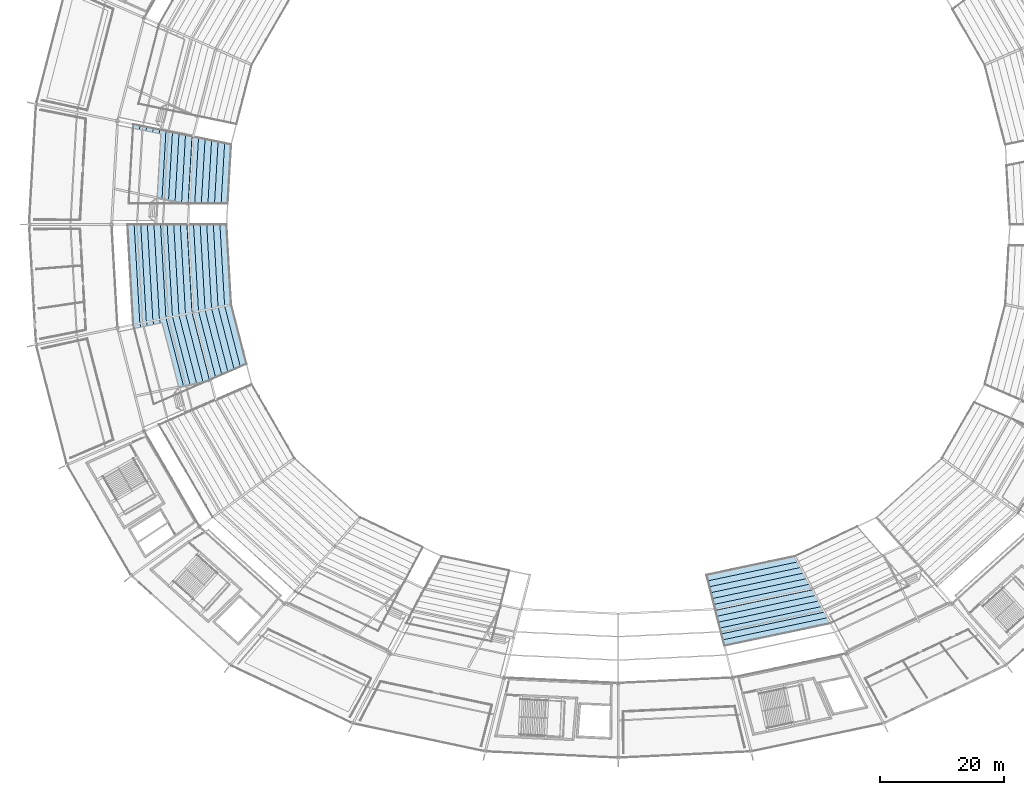
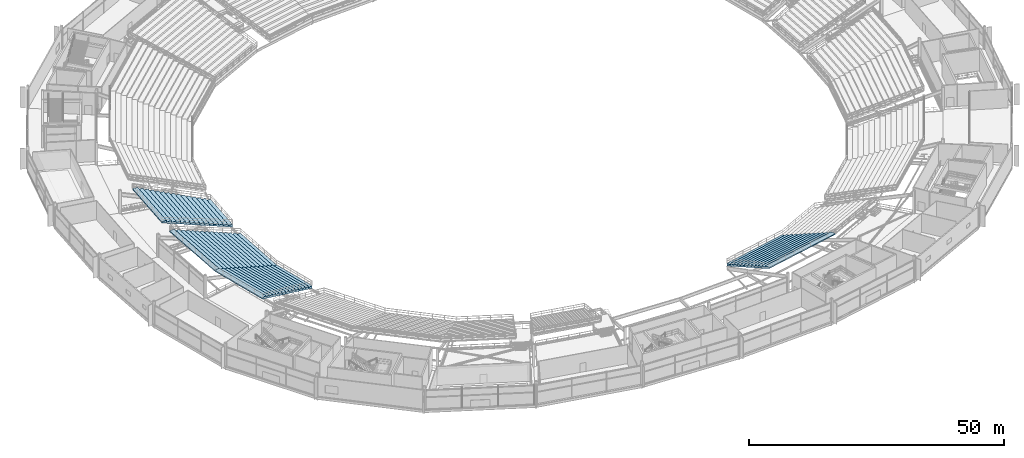
# One storey, part 134 of 186: 4 slabs.
"""IFC4 building model written with IfcOpenShell, lengths in metres."""

from ifc_helpers import new_model, si_unit, direction, frame, origin, place, context, subcontext, project, spatial, polygons, material, layer, layer_set, type_object, element, save


model = new_model("IFC4")

# Units and contexts
model_context = context("Model", 3, precision=1e-05, world=origin(), true_north=direction((0.0, 1.0)))
body_context = subcontext(model_context, "Body", "Model", "MODEL_VIEW")
ifc_project = project(units=[si_unit("LENGTHUNIT", "METRE"), si_unit("AREAUNIT", "SQUARE_METRE"), si_unit("VOLUMEUNIT", "CUBIC_METRE"), si_unit("PLANEANGLEUNIT", "RADIAN"), si_unit("MASSUNIT", "GRAM", prefix="KILO")], contexts=[model_context])

# Site, building, storey
site_placement = place(None, origin())
site = spatial("IfcSite", under=ifc_project, at=site_placement, CompositionType="ELEMENT")
building_placement = place(site_placement, origin())
building = spatial("IfcBuilding", under=site, at=building_placement, Name="Kazemori Nagisa Stadium", CompositionType="ELEMENT")
storey_placement = place(building_placement, frame((0.0, 0.0, 20.39990234375)))
storey = spatial("IfcBuildingStorey", under=building, at=storey_placement, Name="L04", CompositionType="ELEMENT", Elevation=20.39990234375)

# Slabs
ifc_material = material(Name="Concrete C36/45 (Fc36)", Category="concrete")
ifc_layer_1 = layer(ifc_material, 5.5400390625, Name="Concrete C36/45 (Fc36)", Category="concrete")
ifc_layer_set_1 = layer_set([ifc_layer_1], Name="Concrete C36/45 (Fc36)")
slab_type_1 = type_object("IfcSlabType", Name="SeatingTier_ST-UP-12S", PredefinedType="USERDEFINED", material=ifc_layer_set_1)
slab_1_placement = place(storey_placement, frame((0.0, 0.0, -20.39990234375)))
element("IfcSlab", 1, at=slab_1_placement, inside=storey, type_object=slab_type_1, Name="Stand upper tier bay 23", ObjectType="SEATING TIER", PredefinedType="USERDEFINED", context=body_context, shape_type="Tessellation", body=[
    polygons([(151.465087890625, 48.4912109375, 18.820068359375), (151.465087890625, 48.4912109375, 19.52001953125), (151.944580078125, 47.590087890625, 19.52001953125), (151.944580078125, 47.590087890625, 19.9599609375), (152.423828125, 46.688720703125, 19.9599609375), (152.423828125, 46.688720703125, 20.39990234375), (152.9033203125, 45.78759765625, 20.39990234375), (152.9033203125, 45.78759765625, 20.83984375), (153.3828125, 44.886474609375, 20.83984375), (153.3828125, 44.886474609375, 21.27978515625), (153.862060546875, 43.985107421875, 21.27978515625), (153.862060546875, 43.985107421875, 21.7197265625), (154.341552734375, 43.083984375, 21.7197265625), (154.341552734375, 43.083984375, 22.15966796875), (154.821044921875, 42.182861328125, 22.15966796875), (154.821044921875, 42.182861328125, 22.599609375), (155.30029296875, 41.281494140625, 22.599609375), (155.30029296875, 41.281494140625, 23.03955078125), (155.77978515625, 40.38037109375, 23.03955078125), (155.77978515625, 40.38037109375, 23.4794921875), (156.25927734375, 39.479248046875, 23.4794921875), (156.25927734375, 39.479248046875, 23.91943359375), (156.738525390625, 38.577880859375, 23.91943359375), (156.738525390625, 38.577880859375, 24.359375), (157.218017578125, 37.6767578125, 24.359375), (157.218017578125, 37.6767578125, 24.099365234375), (156.738525390625, 38.577880859375, 23.659423828125), (156.25927734375, 39.479248046875, 23.219482421875), (155.77978515625, 40.38037109375, 22.779541015625), (155.30029296875, 41.281494140625, 22.339599609375), (154.821044921875, 42.182861328125, 21.899658203125), (154.341552734375, 43.083984375, 21.459716796875), (153.862060546875, 43.985107421875, 21.019775390625), (153.3828125, 44.886474609375, 20.579833984375), (152.9033203125, 45.78759765625, 20.139892578125), (152.423828125, 46.688720703125, 19.699951171875), (151.944580078125, 47.590087890625, 19.260009765625), (137.24951171875, 45.483642578125, 18.820068359375), (137.24951171875, 45.483642578125, 19.52001953125), (137.489501953125, 44.53173828125, 19.52001953125), (137.489501953125, 44.53173828125, 19.9599609375), (137.7294921875, 43.580078125, 19.9599609375), (137.7294921875, 43.580078125, 20.39990234375), (137.969482421875, 42.628173828125, 20.39990234375), (137.969482421875, 42.628173828125, 20.83984375), (138.20947265625, 41.67626953125, 20.83984375), (138.20947265625, 41.67626953125, 21.27978515625), (138.449462890625, 40.724365234375, 21.27978515625), (138.449462890625, 40.724365234375, 21.7197265625), (138.689453125, 39.7724609375, 21.7197265625), (138.689453125, 39.7724609375, 22.15966796875), (138.929443359375, 38.82080078125, 22.15966796875), (138.929443359375, 38.82080078125, 22.599609375), (139.16943359375, 37.868896484375, 22.599609375), (139.16943359375, 37.868896484375, 23.03955078125), (139.409423828125, 36.9169921875, 23.03955078125), (139.409423828125, 36.9169921875, 23.4794921875), (139.6494140625, 35.96533203125, 23.4794921875), (139.6494140625, 35.96533203125, 23.91943359375), (139.889404296875, 35.013427734375, 23.91943359375), (139.889404296875, 35.013427734375, 24.359375), (140.12939453125, 34.0615234375, 24.359375), (140.12939453125, 34.0615234375, 24.099365234375), (139.889404296875, 35.013427734375, 23.659423828125), (139.6494140625, 35.96533203125, 23.219482421875), (139.409423828125, 36.9169921875, 22.779541015625), (139.16943359375, 37.868896484375, 22.339599609375), (138.929443359375, 38.82080078125, 21.899658203125), (138.689453125, 39.7724609375, 21.459716796875), (138.449462890625, 40.724365234375, 21.019775390625), (138.20947265625, 41.67626953125, 20.579833984375), (137.969482421875, 42.628173828125, 20.139892578125), (137.7294921875, 43.580078125, 19.699951171875), (137.489501953125, 44.53173828125, 19.260009765625)], [[[1, 38, 39]], [[1, 39, 2]], [[2, 39, 40]], [[2, 40, 3]], [[3, 40, 41]], [[3, 41, 4]], [[4, 41, 42]], [[4, 42, 5]], [[5, 42, 43]], [[5, 43, 6]], [[6, 43, 44]], [[6, 44, 7]], [[7, 44, 45]], [[7, 45, 8]], [[8, 45, 46]], [[8, 46, 9]], [[9, 46, 47]], [[9, 47, 10]], [[10, 47, 48]], [[10, 48, 11]], [[11, 48, 49]], [[11, 49, 12]], [[12, 49, 50]], [[12, 50, 13]], [[13, 50, 51]], [[13, 51, 14]], [[14, 51, 52]], [[14, 52, 15]], [[15, 52, 53]], [[15, 53, 16]], [[16, 53, 54]], [[16, 54, 17]], [[17, 54, 55]], [[17, 55, 18]], [[18, 55, 56]], [[18, 56, 19]], [[19, 56, 57]], [[19, 57, 20]], [[20, 57, 58]], [[20, 58, 21]], [[21, 58, 59]], [[21, 59, 22]], [[22, 59, 60]], [[22, 60, 23]], [[23, 60, 61]], [[23, 61, 24]], [[24, 61, 62]], [[24, 62, 25]], [[25, 62, 63]], [[25, 63, 26]], [[26, 63, 27]], [[27, 63, 64]], [[27, 64, 28]], [[28, 64, 65]], [[28, 65, 29]], [[29, 65, 66]], [[29, 66, 30]], [[30, 66, 67]], [[30, 67, 31]], [[31, 67, 68]], [[31, 68, 32]], [[32, 68, 69]], [[32, 69, 33]], [[33, 69, 70]], [[33, 70, 34]], [[34, 70, 71]], [[34, 71, 35]], [[35, 71, 72]], [[35, 72, 36]], [[36, 72, 73]], [[36, 73, 37]], [[37, 73, 74]], [[37, 74, 1]], [[1, 74, 38]], [[1, 2, 3]], [[40, 39, 38]], [[1, 3, 37]], [[74, 40, 38]], [[37, 3, 36]], [[73, 40, 74]], [[36, 3, 5]], [[42, 40, 73]], [[3, 4, 5]], [[42, 41, 40]], [[36, 5, 35]], [[72, 42, 73]], [[35, 5, 7]], [[44, 42, 72]], [[5, 6, 7]], [[44, 43, 42]], [[35, 7, 34]], [[71, 44, 72]], [[34, 7, 9]], [[46, 44, 71]], [[7, 8, 9]], [[46, 45, 44]], [[34, 9, 33]], [[70, 46, 71]], [[33, 9, 11]], [[48, 46, 70]], [[9, 10, 11]], [[48, 47, 46]], [[33, 11, 32]], [[69, 48, 70]], [[32, 11, 13]], [[50, 48, 69]], [[11, 12, 13]], [[50, 49, 48]], [[32, 13, 31]], [[68, 50, 69]], [[31, 13, 15]], [[52, 50, 68]], [[13, 14, 15]], [[52, 51, 50]], [[31, 15, 30]], [[67, 52, 68]], [[30, 15, 17]], [[54, 52, 67]], [[15, 16, 17]], [[54, 53, 52]], [[30, 17, 29]], [[66, 54, 67]], [[29, 17, 19]], [[56, 54, 66]], [[17, 18, 19]], [[56, 55, 54]], [[29, 19, 28]], [[65, 56, 66]], [[28, 19, 21]], [[58, 56, 65]], [[19, 20, 21]], [[58, 57, 56]], [[28, 21, 27]], [[64, 58, 65]], [[27, 21, 23]], [[60, 58, 64]], [[21, 22, 23]], [[60, 59, 58]], [[27, 23, 26]], [[63, 60, 64]], [[26, 23, 25]], [[62, 60, 63]], [[23, 24, 25]], [[62, 61, 60]]], closed=True),
])
ifc_layer_2 = layer(ifc_material, 6.860107421875, Name="Concrete C36/45 (Fc36)", Category="concrete")
ifc_layer_set_2 = layer_set([ifc_layer_2], Name="Concrete C36/45 (Fc36)")
slab_type_2 = type_object("IfcSlabType", Name="SeatingTier_ST-UP-15W", PredefinedType="USERDEFINED", material=ifc_layer_set_2)
slab_2_placement = place(storey_placement, frame((0.0, 0.0, -20.39990234375)))
element("IfcSlab", 2, at=slab_2_placement, inside=storey, type_object=slab_type_2, Name="Stand upper tier bay 14", ObjectType="SEATING TIER", PredefinedType="USERDEFINED", context=body_context, shape_type="Tessellation", body=[
    polygons([(60.020751953125, 105.394287109375, 18.820068359375), (60.020751953125, 105.394287109375, 19.52001953125), (58.956787109375, 105.394287109375, 19.52001953125), (58.956787109375, 105.394287109375, 19.9599609375), (57.892822265625, 105.394287109375, 19.9599609375), (57.892822265625, 105.394287109375, 20.39990234375), (56.828857421875, 105.394287109375, 20.39990234375), (56.828857421875, 105.394287109375, 20.83984375), (55.7646484375, 105.394287109375, 20.83984375), (55.7646484375, 105.394287109375, 21.27978515625), (54.70068359375, 105.394287109375, 21.27978515625), (54.70068359375, 105.394287109375, 21.7197265625), (53.63671875, 105.394287109375, 21.7197265625), (53.63671875, 105.394287109375, 22.15966796875), (52.57275390625, 105.394287109375, 22.15966796875), (52.57275390625, 105.394287109375, 22.599609375), (51.5087890625, 105.394287109375, 22.599609375), (51.5087890625, 105.394287109375, 23.03955078125), (50.44482421875, 105.394287109375, 23.03955078125), (50.44482421875, 105.394287109375, 23.4794921875), (49.380859375, 105.394287109375, 23.4794921875), (49.380859375, 105.394287109375, 23.91943359375), (48.31689453125, 105.394287109375, 23.91943359375), (48.31689453125, 105.394287109375, 24.359375), (47.252685546875, 105.394287109375, 24.359375), (47.252685546875, 105.394287109375, 24.79931640625), (46.188720703125, 105.394287109375, 24.79931640625), (46.188720703125, 105.394287109375, 25.2392578125), (45.124755859375, 105.394287109375, 25.2392578125), (45.124755859375, 105.394287109375, 25.67919921875), (44.060791015625, 105.394287109375, 25.67919921875), (44.060791015625, 105.394287109375, 25.419189453125), (45.124755859375, 105.394287109375, 24.979248046875), (46.188720703125, 105.394287109375, 24.539306640625), (47.252685546875, 105.394287109375, 24.099365234375), (48.31689453125, 105.394287109375, 23.659423828125), (49.380859375, 105.394287109375, 23.219482421875), (50.44482421875, 105.394287109375, 22.779541015625), (51.5087890625, 105.394287109375, 22.339599609375), (52.57275390625, 105.394287109375, 21.899658203125), (53.63671875, 105.394287109375, 21.459716796875), (54.70068359375, 105.394287109375, 21.019775390625), (55.7646484375, 105.394287109375, 20.579833984375), (56.828857421875, 105.394287109375, 20.139892578125), (57.892822265625, 105.394287109375, 19.699951171875), (58.956787109375, 105.394287109375, 19.260009765625), (60.5693359375, 114.8994140625, 18.820068359375), (60.5693359375, 114.8994140625, 19.52001953125), (59.517822265625, 115.11669921875, 19.52001953125), (59.517822265625, 115.11669921875, 19.9599609375), (58.46630859375, 115.333984375, 19.9599609375), (58.46630859375, 115.333984375, 20.39990234375), (57.4150390625, 115.55126953125, 20.39990234375), (57.4150390625, 115.55126953125, 20.83984375), (56.363525390625, 115.768310546875, 20.83984375), (56.363525390625, 115.768310546875, 21.27978515625), (55.31201171875, 115.985595703125, 21.27978515625), (55.31201171875, 115.985595703125, 21.7197265625), (54.260498046875, 116.202880859375, 21.7197265625), (54.260498046875, 116.202880859375, 22.15966796875), (53.208984375, 116.420166015625, 22.15966796875), (53.208984375, 116.420166015625, 22.599609375), (52.15771484375, 116.637451171875, 22.599609375), (52.15771484375, 116.637451171875, 23.03955078125), (51.106201171875, 116.854736328125, 23.03955078125), (51.106201171875, 116.854736328125, 23.4794921875), (50.0546875, 117.072021484375, 23.4794921875), (50.0546875, 117.072021484375, 23.91943359375), (49.003173828125, 117.289306640625, 23.91943359375), (49.003173828125, 117.289306640625, 24.359375), (47.95166015625, 117.50634765625, 24.359375), (47.95166015625, 117.50634765625, 24.79931640625), (46.900390625, 117.7236328125, 24.79931640625), (46.900390625, 117.7236328125, 25.2392578125), (45.848876953125, 117.94091796875, 25.2392578125), (45.848876953125, 117.94091796875, 25.67919921875), (44.79736328125, 118.158203125, 25.67919921875), (44.79736328125, 118.158203125, 25.419189453125), (45.848876953125, 117.94091796875, 24.979248046875), (46.900390625, 117.7236328125, 24.539306640625), (47.95166015625, 117.50634765625, 24.099365234375), (49.003173828125, 117.289306640625, 23.659423828125), (50.0546875, 117.072021484375, 23.219482421875), (51.106201171875, 116.854736328125, 22.779541015625), (52.15771484375, 116.637451171875, 22.339599609375), (53.208984375, 116.420166015625, 21.899658203125), (54.260498046875, 116.202880859375, 21.459716796875), (55.31201171875, 115.985595703125, 21.019775390625), (56.363525390625, 115.768310546875, 20.579833984375), (57.4150390625, 115.55126953125, 20.139892578125), (58.46630859375, 115.333984375, 19.699951171875), (59.517822265625, 115.11669921875, 19.260009765625)], [[[1, 47, 48]], [[1, 48, 2]], [[2, 48, 49]], [[2, 49, 3]], [[3, 49, 50]], [[3, 50, 4]], [[4, 50, 51]], [[4, 51, 5]], [[5, 51, 52]], [[5, 52, 6]], [[6, 52, 53]], [[6, 53, 7]], [[7, 53, 54]], [[7, 54, 8]], [[8, 54, 55]], [[8, 55, 9]], [[9, 55, 56]], [[9, 56, 10]], [[10, 56, 57]], [[10, 57, 11]], [[11, 57, 58]], [[11, 58, 12]], [[12, 58, 59]], [[12, 59, 13]], [[13, 59, 60]], [[13, 60, 14]], [[14, 60, 61]], [[14, 61, 15]], [[15, 61, 62]], [[15, 62, 16]], [[16, 62, 63]], [[16, 63, 17]], [[17, 63, 64]], [[17, 64, 18]], [[18, 64, 65]], [[18, 65, 19]], [[19, 65, 66]], [[19, 66, 20]], [[20, 66, 67]], [[20, 67, 21]], [[21, 67, 68]], [[21, 68, 22]], [[22, 68, 69]], [[22, 69, 23]], [[23, 69, 70]], [[23, 70, 24]], [[24, 70, 71]], [[24, 71, 25]], [[25, 71, 72]], [[25, 72, 26]], [[26, 72, 73]], [[26, 73, 27]], [[27, 73, 74]], [[27, 74, 28]], [[28, 74, 75]], [[28, 75, 29]], [[29, 75, 76]], [[29, 76, 30]], [[30, 76, 77]], [[30, 77, 31]], [[31, 77, 78]], [[31, 78, 32]], [[32, 78, 33]], [[33, 78, 79]], [[33, 79, 34]], [[34, 79, 80]], [[34, 80, 35]], [[35, 80, 81]], [[35, 81, 36]], [[36, 81, 82]], [[36, 82, 37]], [[37, 82, 83]], [[37, 83, 38]], [[38, 83, 84]], [[38, 84, 39]], [[39, 84, 85]], [[39, 85, 40]], [[40, 85, 86]], [[40, 86, 41]], [[41, 86, 87]], [[41, 87, 42]], [[42, 87, 88]], [[42, 88, 43]], [[43, 88, 89]], [[43, 89, 44]], [[44, 89, 90]], [[44, 90, 45]], [[45, 90, 91]], [[45, 91, 46]], [[46, 91, 92]], [[46, 92, 1]], [[1, 92, 47]], [[1, 2, 3]], [[49, 48, 47]], [[1, 3, 46]], [[92, 49, 47]], [[46, 3, 45]], [[91, 49, 92]], [[45, 3, 5]], [[51, 49, 91]], [[3, 4, 5]], [[51, 50, 49]], [[45, 5, 44]], [[90, 51, 91]], [[44, 5, 7]], [[53, 51, 90]], [[5, 6, 7]], [[53, 52, 51]], [[44, 7, 43]], [[89, 53, 90]], [[43, 7, 9]], [[55, 53, 89]], [[7, 8, 9]], [[55, 54, 53]], [[43, 9, 42]], [[88, 55, 89]], [[42, 9, 11]], [[57, 55, 88]], [[9, 10, 11]], [[57, 56, 55]], [[42, 11, 41]], [[87, 57, 88]], [[41, 11, 13]], [[59, 57, 87]], [[11, 12, 13]], [[59, 58, 57]], [[41, 13, 40]], [[86, 59, 87]], [[40, 13, 15]], [[61, 59, 86]], [[13, 14, 15]], [[61, 60, 59]], [[40, 15, 39]], [[85, 61, 86]], [[39, 15, 17]], [[63, 61, 85]], [[15, 16, 17]], [[63, 62, 61]], [[39, 17, 38]], [[84, 63, 85]], [[38, 17, 19]], [[65, 63, 84]], [[17, 18, 19]], [[65, 64, 63]], [[38, 19, 37]], [[83, 65, 84]], [[37, 19, 21]], [[67, 65, 83]], [[19, 20, 21]], [[67, 66, 65]], [[37, 21, 36]], [[82, 67, 83]], [[36, 21, 23]], [[69, 67, 82]], [[21, 22, 23]], [[69, 68, 67]], [[36, 23, 35]], [[81, 69, 82]], [[35, 23, 25]], [[71, 69, 81]], [[23, 24, 25]], [[71, 70, 69]], [[35, 25, 34]], [[80, 71, 81]], [[34, 25, 27]], [[73, 71, 80]], [[25, 26, 27]], [[73, 72, 71]], [[34, 27, 33]], [[79, 73, 80]], [[33, 27, 29]], [[75, 73, 79]], [[27, 28, 29]], [[75, 74, 73]], [[33, 29, 32]], [[78, 75, 79]], [[32, 29, 31]], [[77, 75, 78]], [[29, 30, 31]], [[77, 76, 75]]], closed=True),
])
slab_3_placement = place(storey_placement, frame((0.0, 0.0, -20.39990234375)))
element("IfcSlab", 3, at=slab_3_placement, inside=storey, type_object=slab_type_2, Name="Stand upper tier bay 15", ObjectType="SEATING TIER", PredefinedType="USERDEFINED", context=body_context, shape_type="Tessellation", body=[
    polygons([(60.5693359375, 89.1005859375, 18.820068359375), (60.5693359375, 89.1005859375, 19.52001953125), (59.517822265625, 88.88330078125, 19.52001953125), (59.517822265625, 88.88330078125, 19.9599609375), (58.46630859375, 88.666015625, 19.9599609375), (58.46630859375, 88.666015625, 20.39990234375), (57.4150390625, 88.44873046875, 20.39990234375), (57.4150390625, 88.44873046875, 20.83984375), (56.363525390625, 88.231689453125, 20.83984375), (56.363525390625, 88.231689453125, 21.27978515625), (55.31201171875, 88.014404296875, 21.27978515625), (55.31201171875, 88.014404296875, 21.7197265625), (54.260498046875, 87.797119140625, 21.7197265625), (54.260498046875, 87.797119140625, 22.15966796875), (53.208984375, 87.579833984375, 22.15966796875), (53.208984375, 87.579833984375, 22.599609375), (52.15771484375, 87.362548828125, 22.599609375), (52.15771484375, 87.362548828125, 23.03955078125), (51.106201171875, 87.145263671875, 23.03955078125), (51.106201171875, 87.145263671875, 23.4794921875), (50.0546875, 86.927978515625, 23.4794921875), (50.0546875, 86.927978515625, 23.91943359375), (49.003173828125, 86.710693359375, 23.91943359375), (49.003173828125, 86.710693359375, 24.359375), (47.95166015625, 86.49365234375, 24.359375), (47.95166015625, 86.49365234375, 24.79931640625), (46.900390625, 86.2763671875, 24.79931640625), (46.900390625, 86.2763671875, 25.2392578125), (45.848876953125, 86.05908203125, 25.2392578125), (45.848876953125, 86.05908203125, 25.67919921875), (44.79736328125, 85.841796875, 25.67919921875), (44.79736328125, 85.841796875, 25.419189453125), (45.848876953125, 86.05908203125, 24.979248046875), (46.900390625, 86.2763671875, 24.539306640625), (47.95166015625, 86.49365234375, 24.099365234375), (49.003173828125, 86.710693359375, 23.659423828125), (50.0546875, 86.927978515625, 23.219482421875), (51.106201171875, 87.145263671875, 22.779541015625), (52.15771484375, 87.362548828125, 22.339599609375), (53.208984375, 87.579833984375, 21.899658203125), (54.260498046875, 87.797119140625, 21.459716796875), (55.31201171875, 88.014404296875, 21.019775390625), (56.363525390625, 88.231689453125, 20.579833984375), (57.4150390625, 88.44873046875, 20.139892578125), (58.46630859375, 88.666015625, 19.699951171875), (59.517822265625, 88.88330078125, 19.260009765625), (59.824951171875, 102.0, 18.820068359375), (59.824951171875, 102.0, 19.52001953125), (58.760986328125, 102.0, 19.52001953125), (58.760986328125, 102.0, 19.9599609375), (57.697021484375, 102.0, 19.9599609375), (57.697021484375, 102.0, 20.39990234375), (56.633056640625, 102.0, 20.39990234375), (56.633056640625, 102.0, 20.83984375), (55.56884765625, 102.0, 20.83984375), (55.56884765625, 102.0, 21.27978515625), (54.5048828125, 102.0, 21.27978515625), (54.5048828125, 102.0, 21.7197265625), (53.44091796875, 102.0, 21.7197265625), (53.44091796875, 102.0, 22.15966796875), (52.376953125, 102.0, 22.15966796875), (52.376953125, 102.0, 22.599609375), (51.31298828125, 102.0, 22.599609375), (51.31298828125, 102.0, 23.03955078125), (50.2490234375, 102.0, 23.03955078125), (50.2490234375, 102.0, 23.4794921875), (49.18505859375, 102.0, 23.4794921875), (49.18505859375, 102.0, 23.91943359375), (48.12109375, 102.0, 23.91943359375), (48.12109375, 102.0, 24.359375), (47.056884765625, 102.0, 24.359375), (47.056884765625, 102.0, 24.79931640625), (45.992919921875, 102.0, 24.79931640625), (45.992919921875, 102.0, 25.2392578125), (44.928955078125, 102.0, 25.2392578125), (44.928955078125, 102.0, 25.67919921875), (43.864990234375, 102.0, 25.67919921875), (43.864990234375, 102.0, 25.419189453125), (44.928955078125, 102.0, 24.979248046875), (45.992919921875, 102.0, 24.539306640625), (47.056884765625, 102.0, 24.099365234375), (48.12109375, 102.0, 23.659423828125), (49.18505859375, 102.0, 23.219482421875), (50.2490234375, 102.0, 22.779541015625), (51.31298828125, 102.0, 22.339599609375), (52.376953125, 102.0, 21.899658203125), (53.44091796875, 102.0, 21.459716796875), (54.5048828125, 102.0, 21.019775390625), (55.56884765625, 102.0, 20.579833984375), (56.633056640625, 102.0, 20.139892578125), (57.697021484375, 102.0, 19.699951171875), (58.760986328125, 102.0, 19.260009765625)], [[[1, 47, 48]], [[1, 48, 2]], [[2, 48, 49]], [[2, 49, 3]], [[3, 49, 50]], [[3, 50, 4]], [[4, 50, 51]], [[4, 51, 5]], [[5, 51, 52]], [[5, 52, 6]], [[6, 52, 53]], [[6, 53, 7]], [[7, 53, 54]], [[7, 54, 8]], [[8, 54, 55]], [[8, 55, 9]], [[9, 55, 56]], [[9, 56, 10]], [[10, 56, 57]], [[10, 57, 11]], [[11, 57, 58]], [[11, 58, 12]], [[12, 58, 59]], [[12, 59, 13]], [[13, 59, 60]], [[13, 60, 14]], [[14, 60, 61]], [[14, 61, 15]], [[15, 61, 62]], [[15, 62, 16]], [[16, 62, 63]], [[16, 63, 17]], [[17, 63, 64]], [[17, 64, 18]], [[18, 64, 65]], [[18, 65, 19]], [[19, 65, 66]], [[19, 66, 20]], [[20, 66, 67]], [[20, 67, 21]], [[21, 67, 68]], [[21, 68, 22]], [[22, 68, 69]], [[22, 69, 23]], [[23, 69, 70]], [[23, 70, 24]], [[24, 70, 71]], [[24, 71, 25]], [[25, 71, 72]], [[25, 72, 26]], [[26, 72, 73]], [[26, 73, 27]], [[27, 73, 74]], [[27, 74, 28]], [[28, 74, 75]], [[28, 75, 29]], [[29, 75, 76]], [[29, 76, 30]], [[30, 76, 77]], [[30, 77, 31]], [[31, 77, 78]], [[31, 78, 32]], [[32, 78, 33]], [[33, 78, 79]], [[33, 79, 34]], [[34, 79, 80]], [[34, 80, 35]], [[35, 80, 81]], [[35, 81, 36]], [[36, 81, 82]], [[36, 82, 37]], [[37, 82, 83]], [[37, 83, 38]], [[38, 83, 84]], [[38, 84, 39]], [[39, 84, 85]], [[39, 85, 40]], [[40, 85, 86]], [[40, 86, 41]], [[41, 86, 87]], [[41, 87, 42]], [[42, 87, 88]], [[42, 88, 43]], [[43, 88, 89]], [[43, 89, 44]], [[44, 89, 90]], [[44, 90, 45]], [[45, 90, 91]], [[45, 91, 46]], [[46, 91, 92]], [[46, 92, 1]], [[1, 92, 47]], [[1, 2, 3]], [[49, 48, 47]], [[1, 3, 46]], [[92, 49, 47]], [[46, 3, 45]], [[91, 49, 92]], [[45, 3, 5]], [[51, 49, 91]], [[3, 4, 5]], [[51, 50, 49]], [[45, 5, 44]], [[90, 51, 91]], [[44, 5, 7]], [[53, 51, 90]], [[5, 6, 7]], [[53, 52, 51]], [[44, 7, 43]], [[89, 53, 90]], [[43, 7, 9]], [[55, 53, 89]], [[7, 8, 9]], [[55, 54, 53]], [[43, 9, 42]], [[88, 55, 89]], [[42, 9, 11]], [[57, 55, 88]], [[9, 10, 11]], [[57, 56, 55]], [[42, 11, 41]], [[87, 57, 88]], [[41, 11, 13]], [[59, 57, 87]], [[11, 12, 13]], [[59, 58, 57]], [[41, 13, 40]], [[86, 59, 87]], [[40, 13, 15]], [[61, 59, 86]], [[13, 14, 15]], [[61, 60, 59]], [[40, 15, 39]], [[85, 61, 86]], [[39, 15, 17]], [[63, 61, 85]], [[15, 16, 17]], [[63, 62, 61]], [[39, 17, 38]], [[84, 63, 85]], [[38, 17, 19]], [[65, 63, 84]], [[17, 18, 19]], [[65, 64, 63]], [[38, 19, 37]], [[83, 65, 84]], [[37, 19, 21]], [[67, 65, 83]], [[19, 20, 21]], [[67, 66, 65]], [[37, 21, 36]], [[82, 67, 83]], [[36, 21, 23]], [[69, 67, 82]], [[21, 22, 23]], [[69, 68, 67]], [[36, 23, 35]], [[81, 69, 82]], [[35, 23, 25]], [[71, 69, 81]], [[23, 24, 25]], [[71, 70, 69]], [[35, 25, 34]], [[80, 71, 81]], [[34, 25, 27]], [[73, 71, 80]], [[25, 26, 27]], [[73, 72, 71]], [[34, 27, 33]], [[79, 73, 80]], [[33, 27, 29]], [[75, 73, 79]], [[27, 28, 29]], [[75, 74, 73]], [[33, 29, 32]], [[78, 75, 79]], [[32, 29, 31]], [[77, 75, 78]], [[29, 30, 31]], [[77, 76, 75]]], closed=True),
])
slab_4_placement = place(storey_placement, frame((0.0, 0.0, -20.39990234375)))
element("IfcSlab", 4, at=slab_4_placement, inside=storey, type_object=slab_type_2, Name="Stand upper tier bay 16", ObjectType="SEATING TIER", PredefinedType="USERDEFINED", context=body_context, shape_type="Tessellation", body=[
    polygons([(63.041748046875, 79.523681640625, 18.820068359375), (63.041748046875, 79.523681640625, 19.52001953125), (62.046142578125, 79.089599609375, 19.52001953125), (62.046142578125, 79.089599609375, 19.9599609375), (61.05078125, 78.65576171875, 19.9599609375), (61.05078125, 78.65576171875, 20.39990234375), (60.05517578125, 78.2216796875, 20.39990234375), (60.05517578125, 78.2216796875, 20.83984375), (59.0595703125, 77.78759765625, 20.83984375), (59.0595703125, 77.78759765625, 21.27978515625), (58.064208984375, 77.353759765625, 21.27978515625), (58.064208984375, 77.353759765625, 21.7197265625), (57.068603515625, 76.919677734375, 21.7197265625), (57.068603515625, 76.919677734375, 22.15966796875), (56.072998046875, 76.485595703125, 22.15966796875), (56.072998046875, 76.485595703125, 22.599609375), (55.07763671875, 76.0517578125, 22.599609375), (55.07763671875, 76.0517578125, 23.03955078125), (54.08203125, 75.61767578125, 23.03955078125), (54.08203125, 75.61767578125, 23.4794921875), (53.08642578125, 75.18359375, 23.4794921875), (53.08642578125, 75.18359375, 23.91943359375), (52.091064453125, 74.749755859375, 23.91943359375), (52.091064453125, 74.749755859375, 24.359375), (51.095458984375, 74.315673828125, 24.359375), (51.095458984375, 74.315673828125, 24.79931640625), (50.099853515625, 73.881591796875, 24.79931640625), (50.099853515625, 73.881591796875, 25.2392578125), (49.1044921875, 73.44775390625, 25.2392578125), (49.1044921875, 73.44775390625, 25.67919921875), (48.10888671875, 73.013671875, 25.67919921875), (48.10888671875, 73.013671875, 25.419189453125), (49.1044921875, 73.44775390625, 24.979248046875), (50.099853515625, 73.881591796875, 24.539306640625), (51.095458984375, 74.315673828125, 24.099365234375), (52.091064453125, 74.749755859375, 23.659423828125), (53.08642578125, 75.18359375, 23.219482421875), (54.08203125, 75.61767578125, 22.779541015625), (55.07763671875, 76.0517578125, 22.339599609375), (56.072998046875, 76.485595703125, 21.899658203125), (57.068603515625, 76.919677734375, 21.459716796875), (58.064208984375, 77.353759765625, 21.019775390625), (59.0595703125, 77.78759765625, 20.579833984375), (60.05517578125, 78.2216796875, 20.139892578125), (61.05078125, 78.65576171875, 19.699951171875), (62.046142578125, 79.089599609375, 19.260009765625), (60.5693359375, 89.1005859375, 18.820068359375), (60.5693359375, 89.1005859375, 19.52001953125), (59.517822265625, 88.88330078125, 19.52001953125), (59.517822265625, 88.88330078125, 19.9599609375), (58.46630859375, 88.666015625, 19.9599609375), (58.46630859375, 88.666015625, 20.39990234375), (57.4150390625, 88.44873046875, 20.39990234375), (57.4150390625, 88.44873046875, 20.83984375), (56.363525390625, 88.231689453125, 20.83984375), (56.363525390625, 88.231689453125, 21.27978515625), (55.31201171875, 88.014404296875, 21.27978515625), (55.31201171875, 88.014404296875, 21.7197265625), (54.260498046875, 87.797119140625, 21.7197265625), (54.260498046875, 87.797119140625, 22.15966796875), (53.208984375, 87.579833984375, 22.15966796875), (53.208984375, 87.579833984375, 22.599609375), (52.15771484375, 87.362548828125, 22.599609375), (52.15771484375, 87.362548828125, 23.03955078125), (51.106201171875, 87.145263671875, 23.03955078125), (51.106201171875, 87.145263671875, 23.4794921875), (50.0546875, 86.927978515625, 23.4794921875), (50.0546875, 86.927978515625, 23.91943359375), (49.003173828125, 86.710693359375, 23.91943359375), (49.003173828125, 86.710693359375, 24.359375), (47.95166015625, 86.49365234375, 24.359375), (47.95166015625, 86.49365234375, 24.79931640625), (46.900390625, 86.2763671875, 24.79931640625), (46.900390625, 86.2763671875, 25.2392578125), (45.848876953125, 86.05908203125, 25.2392578125), (45.848876953125, 86.05908203125, 25.67919921875), (44.79736328125, 85.841796875, 25.67919921875), (44.79736328125, 85.841796875, 25.419189453125), (45.848876953125, 86.05908203125, 24.979248046875), (46.900390625, 86.2763671875, 24.539306640625), (47.95166015625, 86.49365234375, 24.099365234375), (49.003173828125, 86.710693359375, 23.659423828125), (50.0546875, 86.927978515625, 23.219482421875), (51.106201171875, 87.145263671875, 22.779541015625), (52.15771484375, 87.362548828125, 22.339599609375), (53.208984375, 87.579833984375, 21.899658203125), (54.260498046875, 87.797119140625, 21.459716796875), (55.31201171875, 88.014404296875, 21.019775390625), (56.363525390625, 88.231689453125, 20.579833984375), (57.4150390625, 88.44873046875, 20.139892578125), (58.46630859375, 88.666015625, 19.699951171875), (59.517822265625, 88.88330078125, 19.260009765625)], [[[1, 47, 48]], [[1, 48, 2]], [[2, 48, 49]], [[2, 49, 3]], [[3, 49, 50]], [[3, 50, 4]], [[4, 50, 51]], [[4, 51, 5]], [[5, 51, 52]], [[5, 52, 6]], [[6, 52, 53]], [[6, 53, 7]], [[7, 53, 54]], [[7, 54, 8]], [[8, 54, 55]], [[8, 55, 9]], [[9, 55, 56]], [[9, 56, 10]], [[10, 56, 57]], [[10, 57, 11]], [[11, 57, 58]], [[11, 58, 12]], [[12, 58, 59]], [[12, 59, 13]], [[13, 59, 60]], [[13, 60, 14]], [[14, 60, 61]], [[14, 61, 15]], [[15, 61, 62]], [[15, 62, 16]], [[16, 62, 63]], [[16, 63, 17]], [[17, 63, 64]], [[17, 64, 18]], [[18, 64, 65]], [[18, 65, 19]], [[19, 65, 66]], [[19, 66, 20]], [[20, 66, 67]], [[20, 67, 21]], [[21, 67, 68]], [[21, 68, 22]], [[22, 68, 69]], [[22, 69, 23]], [[23, 69, 70]], [[23, 70, 24]], [[24, 70, 71]], [[24, 71, 25]], [[25, 71, 72]], [[25, 72, 26]], [[26, 72, 73]], [[26, 73, 27]], [[27, 73, 74]], [[27, 74, 28]], [[28, 74, 75]], [[28, 75, 29]], [[29, 75, 76]], [[29, 76, 30]], [[30, 76, 77]], [[30, 77, 31]], [[31, 77, 78]], [[31, 78, 32]], [[32, 78, 33]], [[33, 78, 79]], [[33, 79, 34]], [[34, 79, 80]], [[34, 80, 35]], [[35, 80, 81]], [[35, 81, 36]], [[36, 81, 82]], [[36, 82, 37]], [[37, 82, 83]], [[37, 83, 38]], [[38, 83, 84]], [[38, 84, 39]], [[39, 84, 85]], [[39, 85, 40]], [[40, 85, 86]], [[40, 86, 41]], [[41, 86, 87]], [[41, 87, 42]], [[42, 87, 88]], [[42, 88, 43]], [[43, 88, 89]], [[43, 89, 44]], [[44, 89, 90]], [[44, 90, 45]], [[45, 90, 91]], [[45, 91, 46]], [[46, 91, 92]], [[46, 92, 1]], [[1, 92, 47]], [[1, 2, 3]], [[49, 48, 47]], [[1, 3, 46]], [[92, 49, 47]], [[46, 3, 45]], [[91, 49, 92]], [[45, 3, 5]], [[51, 49, 91]], [[3, 4, 5]], [[51, 50, 49]], [[45, 5, 44]], [[90, 51, 91]], [[44, 5, 7]], [[53, 51, 90]], [[5, 6, 7]], [[53, 52, 51]], [[44, 7, 43]], [[89, 53, 90]], [[43, 7, 9]], [[55, 53, 89]], [[7, 8, 9]], [[55, 54, 53]], [[43, 9, 42]], [[88, 55, 89]], [[42, 9, 11]], [[57, 55, 88]], [[9, 10, 11]], [[57, 56, 55]], [[42, 11, 41]], [[87, 57, 88]], [[41, 11, 13]], [[59, 57, 87]], [[11, 12, 13]], [[59, 58, 57]], [[41, 13, 40]], [[86, 59, 87]], [[40, 13, 15]], [[61, 59, 86]], [[13, 14, 15]], [[61, 60, 59]], [[40, 15, 39]], [[85, 61, 86]], [[39, 15, 17]], [[63, 61, 85]], [[15, 16, 17]], [[63, 62, 61]], [[39, 17, 38]], [[84, 63, 85]], [[38, 17, 19]], [[65, 63, 84]], [[17, 18, 19]], [[65, 64, 63]], [[38, 19, 37]], [[83, 65, 84]], [[37, 19, 21]], [[67, 65, 83]], [[19, 20, 21]], [[67, 66, 65]], [[37, 21, 36]], [[82, 67, 83]], [[36, 21, 23]], [[69, 67, 82]], [[21, 22, 23]], [[69, 68, 67]], [[36, 23, 35]], [[81, 69, 82]], [[35, 23, 25]], [[71, 69, 81]], [[23, 24, 25]], [[71, 70, 69]], [[35, 25, 34]], [[80, 71, 81]], [[34, 25, 27]], [[73, 71, 80]], [[25, 26, 27]], [[73, 72, 71]], [[34, 27, 33]], [[79, 73, 80]], [[33, 27, 29]], [[75, 73, 79]], [[27, 28, 29]], [[75, 74, 73]], [[33, 29, 32]], [[78, 75, 79]], [[32, 29, 31]], [[77, 75, 78]], [[29, 30, 31]], [[77, 76, 75]]], closed=True),
])

save(model, "model.ifc")
